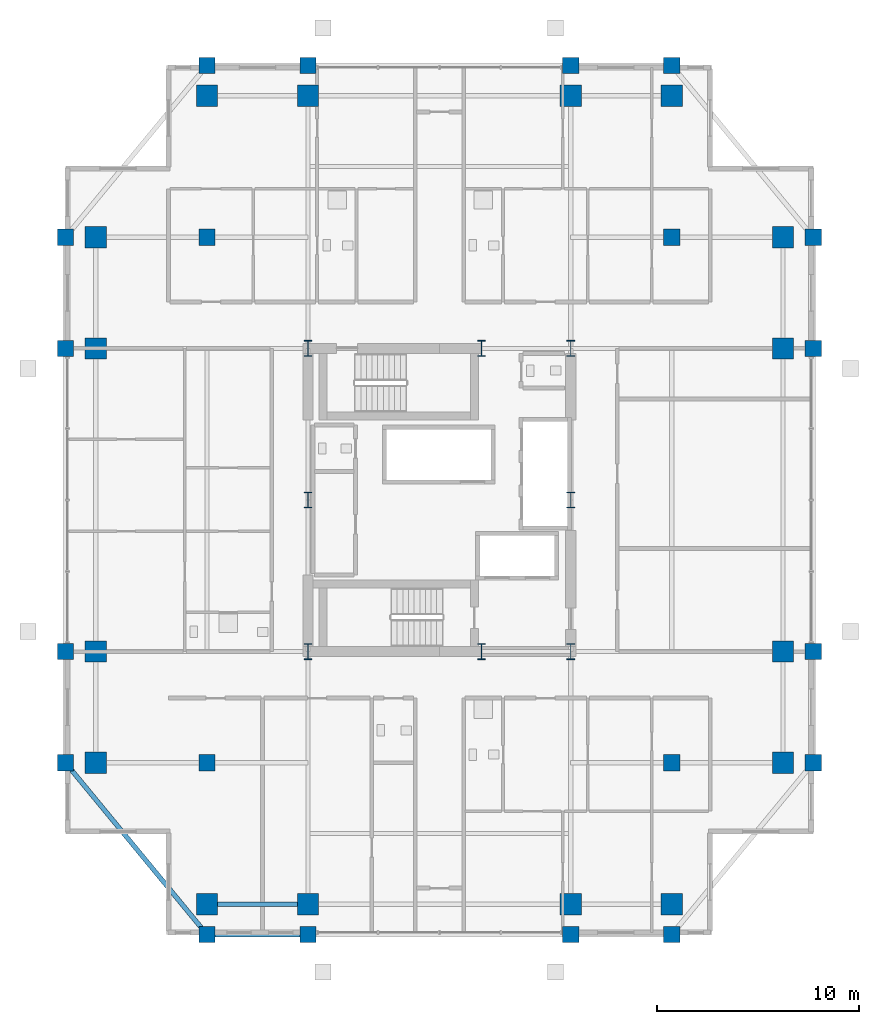
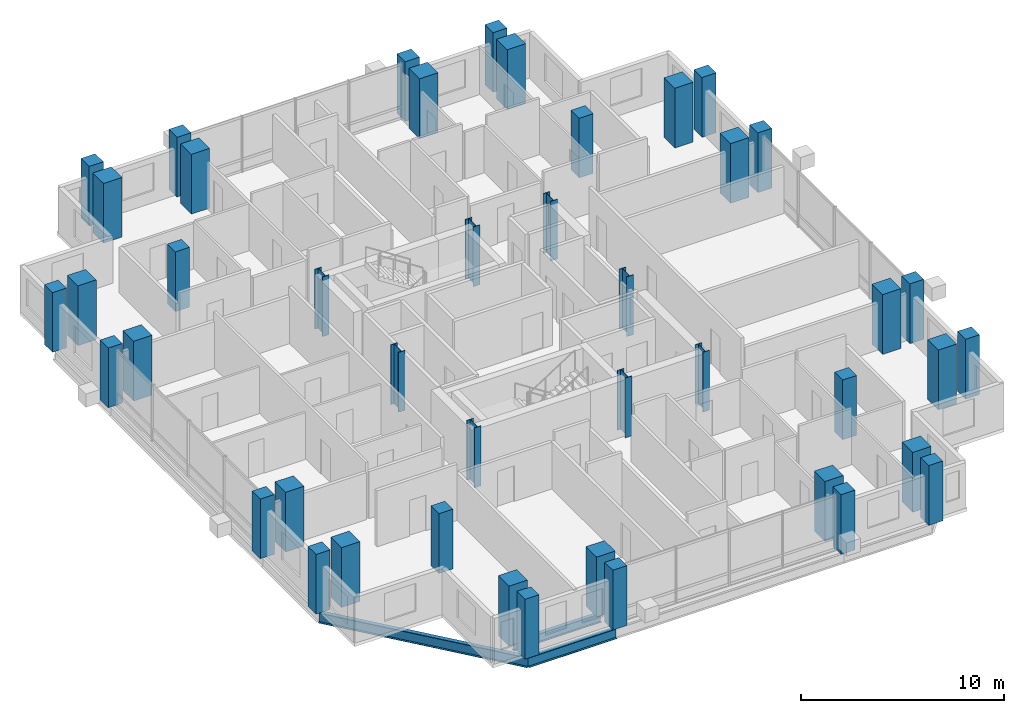
# One storey, part 1 of 24: 44 columns, 3 beams.
"""IFC4 building model written with IfcOpenShell, lengths in metres."""

from ifc_helpers import new_model, si_unit, direction, frame, origin, origin_2d, place, context, subcontext, project, spatial, rectangle, i_section, extrude, material, material_profile, profile_set, type_object, element, save


model = new_model("IFC4")

# Units and contexts
model_context = context("Model", 3, precision=1e-05, world=origin(), true_north=direction((0.0, 1.0)))
body_context = subcontext(model_context, "Body", "Model", "MODEL_VIEW")
ifc_project = project(units=[si_unit("LENGTHUNIT", "METRE"), si_unit("AREAUNIT", "SQUARE_METRE"), si_unit("VOLUMEUNIT", "CUBIC_METRE"), si_unit("PLANEANGLEUNIT", "RADIAN"), si_unit("MASSUNIT", "GRAM", prefix="KILO")], contexts=[model_context])

# Site, building, storey
site_placement = place(None, origin())
site = spatial("IfcSite", under=ifc_project, at=site_placement, CompositionType="ELEMENT")
building_placement = place(site_placement, origin())
building = spatial("IfcBuilding", under=site, at=building_placement, Name="Barlavira Tower and Art Museum", CompositionType="ELEMENT")
storey_placement = place(building_placement, frame((0.0, 0.0, 190.800048828125)))
storey = spatial("IfcBuildingStorey", under=building, at=storey_placement, Name="L49", CompositionType="ELEMENT", Elevation=190.800048828125)

# Columns
ifc_material_1 = material(Name="Steel S355", Category="steel")
ifc_material_profile_1 = material_profile(ifc_material_1, i_section(OverallWidth=0.382080078125, OverallDepth=0.785888671875, WebThickness=0.02001953125, FlangeThickness=0.032958984375, at=origin_2d()), Name="W760x314.0")
ifc_profile_set_1 = profile_set([ifc_material_profile_1], Name="Steel S355")
column_type_1 = type_object("IfcColumnType", Name="Core Composite Column W760x314 Steel S355", PredefinedType="COLUMN", material=ifc_profile_set_1)
for number, where, z_axis, x_axis, name in (
    (1, (-6.5, -7.5, 0.0), (0.0, 0.0, 1.0), (1.0, 0.0, 0.0), "L49 Column CC-L49-C1"),
    (2, (2.080078125, -7.5, 0.0), (0.0, 0.0, 1.0), (1.0, 0.0, 0.0), "L49 Column CC-L49-C2"),
    (3, (6.5, -7.5, 0.0), (0.0, 0.0, 1.0), (1.0, 0.0, 0.0), "L49 Column CC-L49-C3"),
    (4, (-6.5, 0.0, 0.0), (0.0, 0.0, 1.0), (1.0, 0.0, 0.0), "L49 Column CC-L49-C4"),
    (5, (6.5, 0.0, 0.0), (0.0, 0.0, 1.0), (1.0, 0.0, 0.0), "L49 Column CC-L49-C5"),
    (6, (-6.5, 7.5, 0.0), (0.0, 0.0, 1.0), (1.0, 0.0, 0.0), "L49 Column CC-L49-C6"),
    (7, (2.080078125, 7.5, 0.0), (0.0, 0.0, 1.0), (1.0, 0.0, 0.0), "L49 Column CC-L49-C7"),
    (8, (6.5, 7.5, 0.0), (0.0, 0.0, 1.0), (1.0, 0.0, 0.0), "L49 Column CC-L49-C8"),
):
    element("IfcColumn", number, at=place(storey_placement, frame(where, z_axis=z_axis, x_axis=x_axis)), inside=storey, type_object=column_type_1, Name=name, PredefinedType="COLUMN", context=body_context, shape_type="SweptSolid", body=[
        extrude(i_section(OverallWidth=0.382080078125, OverallDepth=0.785888671875, WebThickness=0.02001953125, FlangeThickness=0.032958984375, at=origin_2d()), origin(), (0.0, 0.0, 1.0), 3.599853515625),
    ])
ifc_material_2 = material(Name="Concrete C55", Category="concrete")
ifc_material_profile_2 = material_profile(ifc_material_2, rectangle(XDim=1.050048828125, YDim=1.050048828125, at=origin_2d()), Name="RC-COL 1050x1050")
ifc_profile_set_2 = profile_set([ifc_material_profile_2], Name="Concrete C55")
column_type_2 = type_object("IfcColumnType", Name="Perimeter Mega Column 1050x1050 Concrete C55", PredefinedType="USERDEFINED", material=ifc_profile_set_2)
for number, where, z_axis, x_axis, name in (
    (9, (-11.5, -20.0, 0.0), (0.0, 0.0, 1.0), (1.0, 0.0, 0.0), "L49 Column MC-L49-M01"),
    (10, (-6.5, -20.0, 0.0), (0.0, 0.0, 1.0), (1.0, 0.0, 0.0), "L49 Column MC-L49-M02"),
    (11, (6.5, -20.0, 0.0), (0.0, 0.0, 1.0), (1.0, 0.0, 0.0), "L49 Column MC-L49-M03"),
    (12, (11.5, -20.0, 0.0), (0.0, 0.0, 1.0), (1.0, 0.0, 0.0), "L49 Column MC-L49-M04"),
    (13, (17.0, -13.0, 0.0), (0.0, 0.0, 1.0), (1.0, 0.0, 0.0), "L49 Column MC-L49-M05"),
    (14, (17.0, -7.5, 0.0), (0.0, 0.0, 1.0), (1.0, 0.0, 0.0), "L49 Column MC-L49-M06"),
    (15, (17.0, 7.5, 0.0), (0.0, 0.0, 1.0), (1.0, 0.0, 0.0), "L49 Column MC-L49-M07"),
    (16, (17.0, 13.0, 0.0), (0.0, 0.0, 1.0), (1.0, 0.0, 0.0), "L49 Column MC-L49-M08"),
    (17, (11.5, 20.0, 0.0), (0.0, 0.0, 1.0), (1.0, 0.0, 0.0), "L49 Column MC-L49-M09"),
    (18, (6.5, 20.0, 0.0), (0.0, 0.0, 1.0), (1.0, 0.0, 0.0), "L49 Column MC-L49-M10"),
    (19, (-6.5, 20.0, 0.0), (0.0, 0.0, 1.0), (1.0, 0.0, 0.0), "L49 Column MC-L49-M11"),
    (20, (-11.5, 20.0, 0.0), (0.0, 0.0, 1.0), (1.0, 0.0, 0.0), "L49 Column MC-L49-M12"),
    (21, (-17.0, 13.0, 0.0), (0.0, 0.0, 1.0), (1.0, 0.0, 0.0), "L49 Column MC-L49-M13"),
    (22, (-17.0, 7.5, 0.0), (0.0, 0.0, 1.0), (1.0, 0.0, 0.0), "L49 Column MC-L49-M14"),
    (23, (-17.0, -7.5, 0.0), (0.0, 0.0, 1.0), (1.0, 0.0, 0.0), "L49 Column MC-L49-M15"),
    (24, (-17.0, -13.0, 0.0), (0.0, 0.0, 1.0), (1.0, 0.0, 0.0), "L49 Column MC-L49-M16"),
):
    element("IfcColumn", number, at=place(storey_placement, frame(where, z_axis=z_axis, x_axis=x_axis)), inside=storey, type_object=column_type_2, Name=name, ObjectType="MEGA COLUMN", PredefinedType="USERDEFINED", context=body_context, shape_type="SweptSolid", body=[
        extrude(rectangle(XDim=1.050048828125, YDim=1.050048828125, at=origin_2d()), origin(), (0.0, 0.0, 1.0), 3.599853515625),
    ])
ifc_material_3 = material(Name="Concrete C50", Category="concrete")
ifc_material_profile_3 = material_profile(ifc_material_3, rectangle(XDim=0.800048828125, YDim=0.800048828125, at=origin_2d()), Name="RC-COL 800x800")
ifc_profile_set_3 = profile_set([ifc_material_profile_3], Name="Concrete C50")
column_type_3 = type_object("IfcColumnType", Name="Podium Frame Column 800x800 Concrete C50", PredefinedType="COLUMN", material=ifc_profile_set_3)
for number, where, z_axis, x_axis, name in (
    (25, (-11.5, -13.0, 0.0), (0.0, 0.0, 1.0), (1.0, 0.0, 0.0), "L49 Column CI-L49-I1"),
    (26, (11.5, -13.0, 0.0), (0.0, 0.0, 1.0), (1.0, 0.0, 0.0), "L49 Column CI-L49-I2"),
    (27, (-11.5, 13.0, 0.0), (0.0, 0.0, 1.0), (1.0, 0.0, 0.0), "L49 Column CI-L49-I3"),
    (28, (11.5, 13.0, 0.0), (0.0, 0.0, 1.0), (1.0, 0.0, 0.0), "L49 Column CI-L49-I4"),
    (29, (-11.5, -21.5, 0.0), (0.0, 0.0, 1.0), (1.0, 0.0, 0.0), "L49 Column CZ3-L49-N01"),
    (30, (-6.5, -21.5, 0.0), (0.0, 0.0, 1.0), (1.0, 0.0, 0.0), "L49 Column CZ3-L49-N02"),
    (31, (6.5, -21.5, 0.0), (0.0, 0.0, 1.0), (1.0, 0.0, 0.0), "L49 Column CZ3-L49-N02B"),
    (32, (11.5, -21.5, 0.0), (0.0, 0.0, 1.0), (1.0, 0.0, 0.0), "L49 Column CZ3-L49-N03"),
    (33, (-18.5, -13.0, 0.0), (0.0, 0.0, 1.0), (1.0, 0.0, 0.0), "L49 Column CZ3-L49-N04"),
    (34, (-18.5, -7.5, 0.0), (0.0, 0.0, 1.0), (1.0, 0.0, 0.0), "L49 Column CZ3-L49-N05"),
    (35, (-18.5, 7.5, 0.0), (0.0, 0.0, 1.0), (1.0, 0.0, 0.0), "L49 Column CZ3-L49-N05B"),
    (36, (-18.5, 13.0, 0.0), (0.0, 0.0, 1.0), (1.0, 0.0, 0.0), "L49 Column CZ3-L49-N06"),
    (37, (-11.5, 21.5, 0.0), (0.0, 0.0, 1.0), (1.0, 0.0, 0.0), "L49 Column CZ3-L49-N07"),
    (38, (-6.5, 21.5, 0.0), (0.0, 0.0, 1.0), (1.0, 0.0, 0.0), "L49 Column CZ3-L49-N08"),
    (39, (6.5, 21.5, 0.0), (0.0, 0.0, 1.0), (1.0, 0.0, 0.0), "L49 Column CZ3-L49-N08B"),
    (40, (11.5, 21.5, 0.0), (0.0, 0.0, 1.0), (1.0, 0.0, 0.0), "L49 Column CZ3-L49-N09"),
    (41, (18.5, -13.0, 0.0), (0.0, 0.0, 1.0), (1.0, 0.0, 0.0), "L49 Column CZ3-L49-N10"),
    (42, (18.5, -7.5, 0.0), (0.0, 0.0, 1.0), (1.0, 0.0, 0.0), "L49 Column CZ3-L49-N11"),
    (43, (18.5, 7.5, 0.0), (0.0, 0.0, 1.0), (1.0, 0.0, 0.0), "L49 Column CZ3-L49-N11B"),
    (44, (18.5, 13.0, 0.0), (0.0, 0.0, 1.0), (1.0, 0.0, 0.0), "L49 Column CZ3-L49-N12"),
):
    element("IfcColumn", number, at=place(storey_placement, frame(where, z_axis=z_axis, x_axis=x_axis)), inside=storey, type_object=column_type_3, Name=name, PredefinedType="COLUMN", context=body_context, shape_type="SweptSolid", body=[
        extrude(rectangle(XDim=0.800048828125, YDim=0.800048828125, at=origin_2d()), origin(), (0.0, 0.0, 1.0), 3.599853515625),
    ])

# Beams
ifc_material_profile_4 = material_profile(ifc_material_1, i_section(OverallWidth=0.22998046875, OverallDepth=0.616943359375, WebThickness=0.01318359375, FlangeThickness=0.022216796875, at=origin_2d()), Name="W610x140.0")
ifc_profile_set_4 = profile_set([ifc_material_profile_4], Name="Steel S355")
beam_type_1 = type_object("IfcBeamType", Name="Upper Shaft Spandrel Edge Beam W610x140 Steel S355", PredefinedType="SPANDREL", material=ifc_profile_set_4)
beam_1_placement = place(storey_placement, frame((-11.5, -21.5, -0.528564453125), z_axis=(1.0, 0.0, 0.0), x_axis=(0.0, 1.0, 0.0)))
element("IfcBeam", 45, at=beam_1_placement, inside=storey, type_object=beam_type_1, Name="L49 Spandrel 1", PredefinedType="SPANDREL", context=body_context, shape_type="SweptSolid", body=[
    extrude(i_section(OverallWidth=0.22998046875, OverallDepth=0.616943359375, WebThickness=0.01318359375, FlangeThickness=0.022216796875, at=origin_2d()), origin(), (0.0, 0.0, 1.0), 5.0),
])
beam_2_placement = place(storey_placement, frame((-18.5, -13.0, -0.528564453125), z_axis=(0.635707252861, -0.771930235617, 0.0), x_axis=(0.771930235617, 0.635707252861, 0.0)))
element("IfcBeam", 46, at=beam_2_placement, inside=storey, type_object=beam_type_1, Name="L49 Spandrel 16", PredefinedType="SPANDREL", context=body_context, shape_type="SweptSolid", body=[
    extrude(i_section(OverallWidth=0.22998046875, OverallDepth=0.616943359375, WebThickness=0.01318359375, FlangeThickness=0.022216796875, at=origin_2d()), origin(), (0.0, 0.0, 1.0), 11.011474609375),
])
ifc_material_profile_5 = material_profile(ifc_material_1, i_section(OverallWidth=0.2109375, OverallDepth=0.5390625, WebThickness=0.01171875, FlangeThickness=0.018798828125, at=origin_2d()), Name="W530x109.0")
ifc_profile_set_5 = profile_set([ifc_material_profile_5], Name="Steel S355")
beam_type_2 = type_object("IfcBeamType", Name="Zone 3-4 Primary Floor Girder W530x109 Steel S355", PredefinedType="BEAM", material=ifc_profile_set_5)
beam_3_placement = place(storey_placement, frame((-11.5, -20.0, -0.489501953125), z_axis=(1.0, 0.0, 0.0), x_axis=(0.0, 1.0, 0.0)))
element("IfcBeam", 47, at=beam_3_placement, inside=storey, type_object=beam_type_2, Name="L49 Girder M-S1", PredefinedType="BEAM", context=body_context, shape_type="SweptSolid", body=[
    extrude(i_section(OverallWidth=0.2109375, OverallDepth=0.5390625, WebThickness=0.01171875, FlangeThickness=0.018798828125, at=origin_2d()), origin(), (0.0, 0.0, 1.0), 5.0),
])

save(model, "model.ifc")
